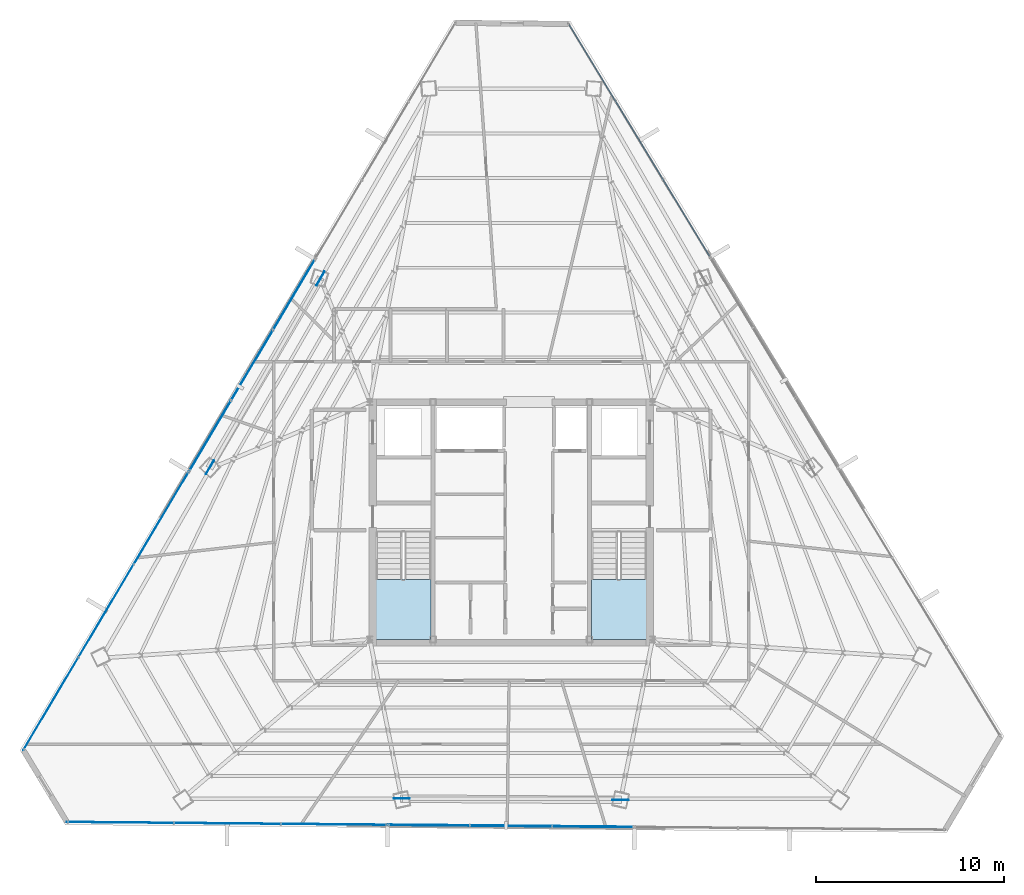
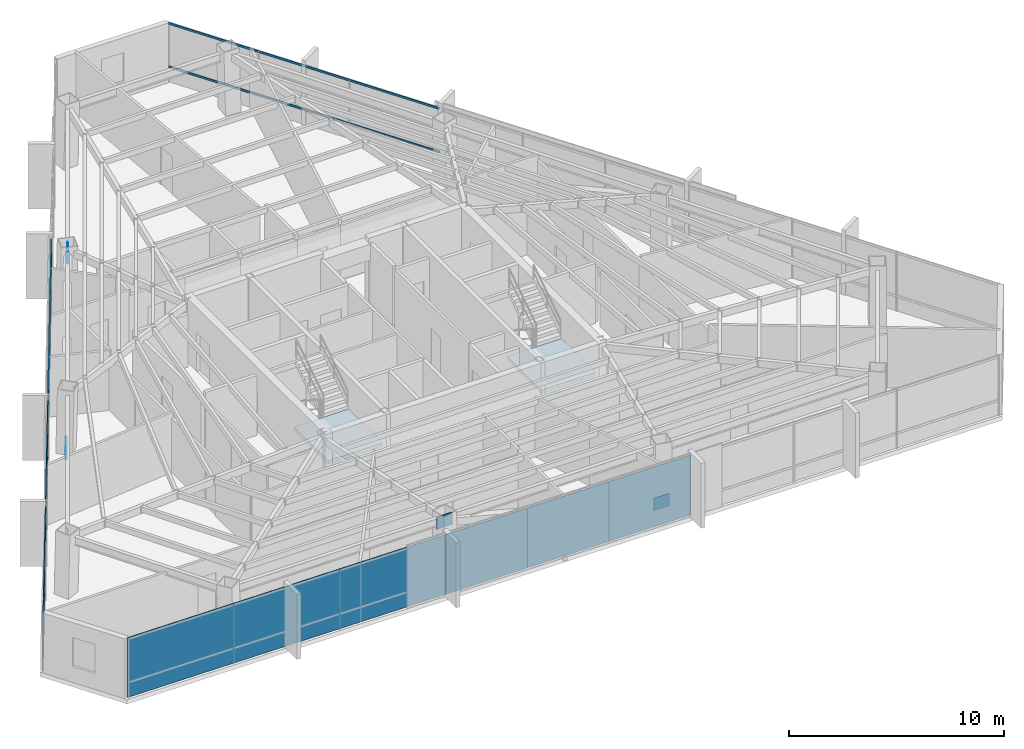
# One storey, part 37 of 49: 16 plates, 2 members, 2 slabs, 7 elements without a shape of their own.
"""IFC4 building model written with IfcOpenShell, lengths in metres."""

import ifcopenshell
import ifcopenshell.guid

model = None  # the IFC model being written
_history = None  # IfcOwnerHistory: only IFC2X3 demands one
_inside = {}  # id of a spatial element -> (the spatial element, [elements in it])
_under = {}  # id of a project, library or spatial element -> (it, [spatial elements below it])
_declared = {}  # id of a project -> (the project, [libraries it declares])
_typed = {}  # id of a type object -> (the type object, [elements of that type])
_made_of = {}  # id of a material, layer set ... -> (it, [elements and type objects made of it])


def new_model(schema):
    """Start an empty IFC model of exactly this schema.

    Asked for "IFC4X3", IfcOpenShell would pick the latest addendum, in which some entities
    have other attributes; the version numbers below select the first issue.
    IFC2X3 requires an IfcOwnerHistory on every rooted entity: one is made here for all.
    """
    global model, _history
    if schema == "IFC4X3":
        model = ifcopenshell.file(schema_version=(4, 3, 0, 0))
    else:
        model = ifcopenshell.file(schema=schema)
    _inside.clear()
    _under.clear()
    _declared.clear()
    _typed.clear()
    _made_of.clear()
    _history = None
    if model.schema == "IFC2X3":
        org = make("IfcOrganization", Name="unknown")
        user = make(
            "IfcPersonAndOrganization",
            ThePerson=make("IfcPerson", FamilyName="unknown"),
            TheOrganization=org,
        )
        app = make(
            "IfcApplication",
            ApplicationDeveloper=org,
            Version="unknown",
            ApplicationFullName="unknown",
            ApplicationIdentifier="unknown",
        )
        _history = make(
            "IfcOwnerHistory",
            OwningUser=user,
            OwningApplication=app,
            ChangeAction="ADDED",
            CreationDate=0,
        )
    return model


def make(cls, **values):
    """One entity of the class cls with the attributes given. An attribute that is None is left unset."""
    return model.create_entity(
        cls, **{name: value for name, value in values.items() if value is not None}
    )


def rooted(cls, **values):
    """An entity with a GlobalId (a new one), such as an element, a storey or a relation."""
    return make(cls, GlobalId=ifcopenshell.guid.new(), OwnerHistory=_history, **values)


def si_unit(unit_type, name, prefix=None):
    """IfcSIUnit, for example si_unit("LENGTHUNIT", "METRE", prefix="MILLI")."""
    return make("IfcSIUnit", UnitType=unit_type, Prefix=prefix, Name=name)


def assignment(units):
    """IfcUnitAssignment: the units of a project."""
    return None if units is None else make("IfcUnitAssignment", Units=units)


def point(xyz):
    """IfcCartesianPoint."""
    return None if xyz is None else make("IfcCartesianPoint", Coordinates=xyz)


def direction(xyz):
    """IfcDirection."""
    return None if xyz is None else make("IfcDirection", DirectionRatios=xyz)


def frame(location, z_axis=None, x_axis=None):
    """IfcAxis2Placement3D, a coordinate frame: its origin and axes. An axis left out is left unset."""
    return make(
        "IfcAxis2Placement3D",
        Location=point(location),
        Axis=direction(z_axis),
        RefDirection=direction(x_axis),
    )


def frame_2d(location, x_axis=None):
    """IfcAxis2Placement2D, a coordinate frame in the plane: its origin and x axis."""
    return make(
        "IfcAxis2Placement2D", Location=point(location), RefDirection=direction(x_axis)
    )


def origin():
    """The frame at (0, 0, 0) with its axes left unset."""
    return frame((0.0, 0.0, 0.0))


def origin_2d():
    """The frame at (0, 0) in the plane with its x axis left unset."""
    return frame_2d((0.0, 0.0))


def place(relative_to, where):
    """IfcLocalPlacement: puts the frame where relative to a parent placement (None: the world)."""
    return make(
        "IfcLocalPlacement", PlacementRelTo=relative_to, RelativePlacement=where
    )


def context(
    kind, dimensions, precision=None, world=None, true_north=None, identifier=None
):
    """IfcGeometricRepresentationContext, for example the 3D "Model" context."""
    return make(
        "IfcGeometricRepresentationContext",
        ContextIdentifier=identifier,
        ContextType=kind,
        CoordinateSpaceDimension=dimensions,
        Precision=precision,
        WorldCoordinateSystem=world,
        TrueNorth=true_north,
    )


def subcontext(parent, identifier, kind, view, scale=None):
    """IfcGeometricRepresentationSubContext, for example "Body" below "Model"."""
    return make(
        "IfcGeometricRepresentationSubContext",
        ContextIdentifier=identifier,
        ContextType=kind,
        ParentContext=parent,
        TargetScale=scale,
        TargetView=view,
    )


def project(units=None, contexts=None):
    """IfcProject with its units and contexts."""
    return rooted(
        "IfcProject",
        Name="project",
        RepresentationContexts=contexts,
        UnitsInContext=assignment(units),
    )


def spatial(cls, under=None, at=None, **own):
    """A site, building, storey or space (cls), placed at a placement, below another one or the project."""
    s = rooted(cls, ObjectPlacement=at, **own)
    if under is not None:
        _under.setdefault(under.id(), (under, []))[1].append(s)
    return s


def polyline(points):
    """IfcPolyline through the points."""
    return make("IfcPolyline", Points=[point(p) for p in points])


def profile(cls, at=None, kind="AREA", **sizes):
    """A parametric profile (cls). Its sizes go by their IFC names, for example OverallWidth=200.0."""
    return make(cls, ProfileType=kind, Position=at, **sizes)


def rectangle(**sizes):
    """IfcRectangleProfileDef."""
    return profile("IfcRectangleProfileDef", **sizes)


def hollow_rectangle(**sizes):
    """IfcRectangleHollowProfileDef."""
    return profile("IfcRectangleHollowProfileDef", **sizes)


def outline(outer, holes=None, kind="AREA"):
    """IfcArbitraryClosedProfileDef: a profile drawn as a closed curve; with holes, ...WithVoids."""
    if holes is None:
        return make("IfcArbitraryClosedProfileDef", ProfileType=kind, OuterCurve=outer)
    return make(
        "IfcArbitraryProfileDefWithVoids",
        ProfileType=kind,
        OuterCurve=outer,
        InnerCurves=holes,
    )


def extrude(swept, where, along, depth):
    """IfcExtrudedAreaSolid: the profile swept, set in the frame where, extruded along a direction by depth."""
    return make(
        "IfcExtrudedAreaSolid",
        SweptArea=swept,
        Position=where,
        ExtrudedDirection=direction(along),
        Depth=depth,
    )


def shape(context_of_items, identifier, shape_type, items):
    """IfcShapeRepresentation: the items that make up one representation, for example the "Body"."""
    return make(
        "IfcShapeRepresentation",
        ContextOfItems=context_of_items,
        RepresentationIdentifier=identifier,
        RepresentationType=shape_type,
        Items=items,
    )


def source(mapping_origin, context_of_items, identifier, shape_type, items):
    """IfcRepresentationMap: a shape defined once, which mapped items show again and again."""
    return make(
        "IfcRepresentationMap",
        MappingOrigin=mapping_origin,
        MappedRepresentation=shape(context_of_items, identifier, shape_type, items),
    )


def transform(
    local_origin,
    x_axis=None,
    y_axis=None,
    z_axis=None,
    scale=None,
    scale2=None,
    scale3=None,
    uniform=True,
):
    """IfcCartesianTransformationOperator3D, or its non-uniform kind. x_axis, y_axis, z_axis: its Axis1, 2, 3."""
    if uniform:
        return make(
            "IfcCartesianTransformationOperator3D",
            Axis1=direction(x_axis),
            Axis2=direction(y_axis),
            LocalOrigin=point(local_origin),
            Scale=scale,
            Axis3=direction(z_axis),
        )
    return make(
        "IfcCartesianTransformationOperator3DnonUniform",
        Axis1=direction(x_axis),
        Axis2=direction(y_axis),
        LocalOrigin=point(local_origin),
        Scale=scale,
        Axis3=direction(z_axis),
        Scale2=scale2,
        Scale3=scale3,
    )


def mapped(mapping_source, mapping_target):
    """IfcMappedItem: shows the shape of a source again, moved by a transform."""
    return make(
        "IfcMappedItem", MappingSource=mapping_source, MappingTarget=mapping_target
    )


def material(Name=None, Category=None):
    """IfcMaterial."""
    return make("IfcMaterial", Name=Name, Category=Category)


def layer(
    of_material, thickness, ventilated=None, Name=None, Category=None, Priority=None
):
    """IfcMaterialLayer: one layer of a wall or slab, of a material (None: an air gap)."""
    return make(
        "IfcMaterialLayer",
        Material=of_material,
        LayerThickness=thickness,
        IsVentilated=ventilated,
        Name=Name,
        Category=Category,
        Priority=Priority,
    )


def layer_set(layers, Name=None):
    """IfcMaterialLayerSet."""
    return make("IfcMaterialLayerSet", MaterialLayers=layers, LayerSetName=Name)


def material_profile(
    of_material, cross_section, Name=None, Category=None, Priority=None
):
    """IfcMaterialProfile: a cross section and its material."""
    return make(
        "IfcMaterialProfile",
        Name=Name,
        Material=of_material,
        Profile=cross_section,
        Priority=Priority,
        Category=Category,
    )


def profile_set(profiles, Name=None, composite=None):
    """IfcMaterialProfileSet."""
    return make(
        "IfcMaterialProfileSet",
        Name=Name,
        MaterialProfiles=profiles,
        CompositeProfile=composite,
    )


def made_of(thing, what):
    """Note that an element or type object is made of a material, layer set ...; save() writes the relation."""
    if what is not None:
        _made_of.setdefault(what.id(), (what, []))[1].append(thing)
    return thing


def type_object(cls, material=None, **own):
    """A type object (cls), such as IfcWallType, which elements share."""
    return made_of(rooted(cls, **own), material)


def type_shapes(of_type, sources):
    """Give a type object the sources (RepresentationMaps) that its elements show as mapped items."""
    of_type.RepresentationMaps = sources


def element(
    cls,
    number,
    at=None,
    inside=None,
    cuts=None,
    type_object=None,
    material=None,
    context=None,
    identifier="Body",
    shape_type=None,
    held_by="IfcProductDefinitionShape",
    body=None,
    shapes=None,
    **own,
):
    """One element of the class cls, such as IfcWall. Its Tag is "e" and its number.

    at: its placement. inside: the storey or other place that contains it. cuts: it is an
    opening in that element (IfcRelVoidsElement). A single representation is given by context,
    identifier, shape_type and body (its items); several are given by shapes. held_by: the class
    of the entity that holds the representations. save() writes the other relations.
    """
    e = rooted(cls, Tag="e%d" % number, ObjectPlacement=at, **own)
    if body is not None:
        shapes = [shape(context, identifier, shape_type, body)]
    if shapes is not None:
        e.Representation = make(held_by, Representations=shapes)
    if inside is not None:
        _inside.setdefault(inside.id(), (inside, []))[1].append(e)
    if cuts is not None:
        rooted(
            "IfcRelVoidsElement", RelatingBuildingElement=cuts, RelatedOpeningElement=e
        )
    if type_object is not None:
        _typed.setdefault(type_object.id(), (type_object, []))[1].append(e)
    return made_of(e, material)


def aggregate(whole, parts):
    """IfcRelAggregates: a whole, such as a stair, and the parts it consists of."""
    return rooted("IfcRelAggregates", RelatingObject=whole, RelatedObjects=parts)


def save(model, path):
    """Write the relations noted so far, then the file.

    IfcRelAggregates (storeys below a building ...), IfcRelContainedInSpatialStructure (elements
    in a storey), IfcRelDefinesByType, IfcRelAssociatesMaterial and IfcRelDeclares: one each for
    every whole, place, type object, material and project.
    """
    for whole, parts in _under.values():
        aggregate(whole, parts)
    for where, things in _inside.values():
        rooted(
            "IfcRelContainedInSpatialStructure",
            RelatedElements=things,
            RelatingStructure=where,
        )
    for kind, things in _typed.values():
        rooted("IfcRelDefinesByType", RelatedObjects=things, RelatingType=kind)
    for what, things in _made_of.values():
        rooted("IfcRelAssociatesMaterial", RelatedObjects=things, RelatingMaterial=what)
    for by, libraries in _declared.values():
        rooted("IfcRelDeclares", RelatingContext=by, RelatedDefinitions=libraries)
    model.write(path)


model = new_model("IFC4")

# Units and contexts
model_context = context("Model", 3, precision=1e-05, world=origin(), true_north=direction((0.0, 1.0)))
body_context = subcontext(model_context, "Body", "Model", "MODEL_VIEW")
ifc_project = project(units=[si_unit("LENGTHUNIT", "METRE"), si_unit("AREAUNIT", "SQUARE_METRE"), si_unit("VOLUMEUNIT", "CUBIC_METRE"), si_unit("PLANEANGLEUNIT", "RADIAN"), si_unit("MASSUNIT", "GRAM", prefix="KILO")], contexts=[model_context])

# Site, building, storey
site_placement = place(None, origin())
site = spatial("IfcSite", under=ifc_project, at=site_placement, CompositionType="ELEMENT")
building_placement = place(site_placement, origin())
building = spatial("IfcBuilding", under=site, at=building_placement, Name="Caelisora Broadcast Tower", CompositionType="ELEMENT")
storey_placement = place(building_placement, frame((0.0, 0.0, 233.5)))
storey = spatial("IfcBuildingStorey", under=building, at=storey_placement, Name="L61", CompositionType="ELEMENT", Elevation=233.5)

# Curtain wall, members
ifc_material_1 = material(Name="Unitised Aluminium and Low-E Glass Curtain Wall", Category="glass")
curtain_wall_type_1 = type_object("IfcCurtainWallType", Name="CW-Z5", PredefinedType="NOTDEFINED", material=ifc_material_1)
curtain_wall_1_placement = place(storey_placement, origin())
curtain_wall_1 = element("IfcCurtainWall", 1, at=curtain_wall_1_placement, inside=storey, type_object=curtain_wall_type_1, Name="L61 curtain wall CW-Z5", PredefinedType="NOTDEFINED")
ifc_material_2 = material(Name="Aluminium 6063-T6 Anodised Terracotta Bronze", Category="aluminium")
ifc_material_profile = material_profile(ifc_material_2, hollow_rectangle(XDim=0.06005859375, YDim=0.1201171875, WallThickness=0.0029296875, at=origin_2d()), Name="Aluminium 6063-T6 Anodised Terracotta Bronze")
ifc_profile_set = profile_set([ifc_material_profile], Name="Aluminium 6063-T6 Anodised Terracotta Bronze")
member_type = type_object("IfcMemberType", Name="CWT-03", PredefinedType="USERDEFINED", material=ifc_profile_set)
shared_shape_1 = source(origin(), body_context, "Body", "SweptSolid", [
    extrude(hollow_rectangle(XDim=0.06005859375, YDim=0.1201171875, WallThickness=0.0029296875, at=origin_2d()), origin(), (0.0, 0.0, 1.0), 14.386474609375),
])
type_shapes(member_type, [shared_shape_1])
member_1_placement = place(storey_placement, frame((41.074951171875, 50.0341796875, 0.85009765625), z_axis=(0.518505548152, -0.855074263754, 0.0), x_axis=(0.855074263754, 0.518505548152, 0.0)))
member_1 = element("IfcMember", 2, at=member_1_placement, type_object=member_type, Name="L61-CW-B01 transom #1", ObjectType="TRANSOM", PredefinedType="USERDEFINED", context=body_context, shape_type="MappedRepresentation", body=[
    mapped(shared_shape_1, transform((0.0, 0.0, 0.0), scale=1.0)),
])
member_2_placement = place(storey_placement, frame((41.074951171875, 50.0341796875, 3.320068359375), z_axis=(0.518505548152, -0.855074263754, 0.0), x_axis=(0.855074263754, 0.518505548152, 0.0)))
member_2 = element("IfcMember", 3, at=member_2_placement, type_object=member_type, Name="L61-CW-B01 transom #2", ObjectType="TRANSOM", PredefinedType="USERDEFINED", context=body_context, shape_type="MappedRepresentation", body=[
    mapped(shared_shape_1, transform((0.0, 0.0, 0.0), scale=1.0)),
])
aggregate(curtain_wall_1, [member_1, member_2])

# Stair, slab
ifc_material_3 = material(Name="Concrete 40 MPa (AS 3600 N40)", Category="concrete")
stair_type_1 = type_object("IfcStairType", Name="ST-1", PredefinedType="HALF_TURN_STAIR", material=ifc_material_3)
stair_1_placement = place(storey_placement, origin())
stair_1 = element("IfcStair", 4, at=stair_1_placement, inside=storey, type_object=stair_type_1, Name="L61 West Fire-Isolated Tower Stair", PredefinedType="HALF_TURN_STAIR")
ifc_layer_1 = layer(ifc_material_3, 0.199951171875, Name="Concrete 40 MPa (AS 3600 N40)")
ifc_layer_set_1 = layer_set([ifc_layer_1], Name="Concrete 40 MPa (AS 3600 N40)")
slab_type = type_object("IfcSlabType", Name="STL-1", PredefinedType="LANDING", material=ifc_layer_set_1)
slab_1_placement = place(storey_placement, frame((0.0, 0.0, 1.625)))
slab_1 = element("IfcSlab", 5, at=slab_1_placement, type_object=slab_type, Name="ST-1 landing 1", PredefinedType="LANDING", context=body_context, shape_type="SweptSolid", body=[
    extrude(outline(polyline([(30.820068359375, 20.580078125), (30.820068359375, 17.39990234375), (33.739990234375, 17.39990234375), (33.739990234375, 20.580078125), (30.820068359375, 20.580078125)])), origin(), (0.0, 0.0, 1.0), 0.199951171875),
])
aggregate(stair_1, [slab_1])

stair_type_2 = type_object("IfcStairType", Name="ST-2", PredefinedType="HALF_TURN_STAIR", material=ifc_material_3)
stair_2_placement = place(storey_placement, origin())
stair_2 = element("IfcStair", 6, at=stair_2_placement, inside=storey, type_object=stair_type_2, Name="L61 East Fire-Isolated Tower Stair", PredefinedType="HALF_TURN_STAIR")
slab_2_placement = place(storey_placement, frame((0.0, 0.0, 1.625)))
slab_2 = element("IfcSlab", 7, at=slab_2_placement, type_object=slab_type, Name="ST-2 landing 1", PredefinedType="LANDING", context=body_context, shape_type="SweptSolid", body=[
    extrude(outline(polyline([(42.260009765625, 20.580078125), (42.260009765625, 17.39990234375), (45.179931640625, 17.39990234375), (45.179931640625, 20.580078125), (42.260009765625, 20.580078125)])), origin(), (0.0, 0.0, 1.0), 0.199951171875),
])
aggregate(stair_2, [slab_2])

# Plates
ifc_material_4 = material(Name="Steel Grade 350 L15 (AS/NZS 3678)", Category="steel")
ifc_layer_2 = layer(ifc_material_4, 0.0400390625, Name="Steel Grade 350 L15 (AS/NZS 3678)")
ifc_layer_set_2 = layer_set([ifc_layer_2], Name="Steel Grade 350 L15 (AS/NZS 3678)")
plate_type_1 = type_object("IfcPlateType", Name="GP04", PredefinedType="USERDEFINED", material=ifc_layer_set_2)
shared_shape_2 = source(origin(), body_context, "Body", "SweptSolid", [
    extrude(rectangle(XDim=0.85009765625, YDim=0.0400390625, at=origin_2d()), origin(), (0.0, 0.0, 1.0), 0.699951171875),
])
type_shapes(plate_type_1, [shared_shape_2])
for number, where, z_axis, x_axis, name in (
    (8, (27.8759765625, 36.5634765625, 2.72998046875), (0.0, 0.0, 1.0), (-0.5, -0.866025403784, 0.0), "L61 gusset plate GP04 (ND-L61-C02T)"),
    (9, (22.00341796875, 26.536376953125, -0.22998046875), (0.0, 0.0, 1.0), (-0.5, -0.866025403784, 0.0), "L61 gusset plate GP04 (ND-L61-C03B)"),
    (10, (32.181884765625, 8.95068359375, 2.72998046875), (0.0, 0.0, 1.0), (1.0, 0.0, 0.0), "L61 gusset plate GP04 (ND-L61-C06T)"),
    (11, (43.8017578125, 8.87841796875, -0.22998046875), (0.0, 0.0, 1.0), (1.0, 0.0, 0.0), "L61 gusset plate GP04 (ND-L61-C07B)"),
):
    element("IfcPlate", number, at=place(storey_placement, frame(where, z_axis=z_axis, x_axis=x_axis)), inside=storey, type_object=plate_type_1, Name=name, ObjectType="GUSSET PLATE", PredefinedType="USERDEFINED", context=body_context, shape_type="MappedRepresentation", body=[
        mapped(shared_shape_2, transform((0.0, 0.0, 0.0), scale=1.0)),
    ])

# Curtain wall, plates
ifc_material_5 = material(Name="Unitised Aluminium Insulated Shadow-Box Spandrel Curtain Wall", Category="aluminium")
curtain_wall_type_2 = type_object("IfcCurtainWallType", Name="CW-SP3", PredefinedType="NOTDEFINED", material=ifc_material_5)
curtain_wall_2_placement = place(storey_placement, origin())
curtain_wall_2 = element("IfcCurtainWall", 12, at=curtain_wall_2_placement, inside=storey, type_object=curtain_wall_type_2, Name="L61 curtain wall CW-SP3", PredefinedType="NOTDEFINED")
ifc_material_6 = material(Name="Insulated Terracotta Shadow-Box Spandrel Panel", Category="aluminium")
ifc_layer_3 = layer(ifc_material_6, 0.0439453125, Name="Insulated Terracotta Shadow-Box Spandrel Panel")
ifc_layer_set_3 = layer_set([ifc_layer_3], Name="Insulated Terracotta Shadow-Box Spandrel Panel")
plate_type_2 = type_object("IfcPlateType", Name="CWP-10", PredefinedType="CURTAIN_PANEL", material=ifc_layer_set_3)
shared_shape_3 = source(origin(), body_context, "Body", "SweptSolid", [
    extrude(rectangle(XDim=4.364501953125, YDim=0.0439453125, at=origin_2d()), origin(), (0.0, 0.0, 1.0), 3.39990234375),
])
plate_1_placement = place(storey_placement, frame((42.351806640625, 7.459228515625, 0.0), z_axis=(0.0, 0.0, 1.0), x_axis=(-0.999960384766, 0.008901061644, 0.0)))
plate_1 = element("IfcPlate", 13, at=plate_1_placement, type_object=plate_type_2, Name="L61-CW-B06 spandrel panel #1", PredefinedType="CURTAIN_PANEL", context=body_context, shape_type="MappedRepresentation", body=[
    mapped(shared_shape_3, transform((0.0, 0.0, 0.0), scale=1.0)),
])
plate_2_placement = place(storey_placement, frame((37.98779296875, 7.498291015625, 0.0), z_axis=(0.0, 0.0, 1.0), x_axis=(-0.999960384766, 0.008901061644, 0.0)))
plate_2 = element("IfcPlate", 14, at=plate_2_placement, type_object=plate_type_2, Name="L61-CW-B06 spandrel panel #2", PredefinedType="CURTAIN_PANEL", context=body_context, shape_type="MappedRepresentation", body=[
    mapped(shared_shape_3, transform((0.0, 0.0, 0.0), scale=1.0)),
])
plate_3_placement = place(storey_placement, frame((33.62353515625, 7.537109375, 0.0), z_axis=(0.0, 0.0, 1.0), x_axis=(-0.999960384766, 0.008901061644, 0.0)))
plate_3 = element("IfcPlate", 15, at=plate_3_placement, type_object=plate_type_2, Name="L61-CW-B06 spandrel panel #3", PredefinedType="CURTAIN_PANEL", context=body_context, shape_type="MappedRepresentation", body=[
    mapped(shared_shape_3, transform((0.0, 0.0, 0.0), scale=1.0)),
])
aggregate(curtain_wall_2, [plate_1, plate_2, plate_3])

curtain_wall_3_placement = place(storey_placement, origin())
curtain_wall_3 = element("IfcCurtainWall", 16, at=curtain_wall_3_placement, inside=storey, type_object=curtain_wall_type_1, Name="L61 curtain wall CW-Z5", PredefinedType="NOTDEFINED")
ifc_material_7 = material(Name="Double Glazed Low-E Argon IGU", Category="glass")
ifc_layer_4 = layer(ifc_material_7, 0.028076171875, Name="Double Glazed Low-E Argon IGU")
ifc_layer_set_4 = layer_set([ifc_layer_4], Name="Double Glazed Low-E Argon IGU")
plate_type_3 = type_object("IfcPlateType", Name="CWP-06", PredefinedType="CURTAIN_PANEL", material=ifc_layer_set_4)
shared_shape_4 = source(origin(), body_context, "Body", "SweptSolid", [
    extrude(rectangle(XDim=5.673095703125, YDim=0.028076171875, at=origin_2d()), origin(), (0.0, 0.0, 1.0), 3.39990234375),
])
plate_4_placement = place(storey_placement, frame((28.594970703125, 7.581787109375, 0.0), z_axis=(0.0, 0.0, 1.0), x_axis=(-0.999960384766, 0.008901061644, 0.0)))
plate_4 = element("IfcPlate", 17, at=plate_4_placement, type_object=plate_type_3, Name="L61-CW-B07 glazed panel #1", PredefinedType="CURTAIN_PANEL", context=body_context, shape_type="MappedRepresentation", body=[
    mapped(shared_shape_4, transform((0.0, 0.0, 0.0), scale=1.0)),
])
plate_5_placement = place(storey_placement, frame((22.922119140625, 7.63232421875, 0.0), z_axis=(0.0, 0.0, 1.0), x_axis=(-0.999960384766, 0.008901061644, 0.0)))
plate_5 = element("IfcPlate", 18, at=plate_5_placement, type_object=plate_type_3, Name="L61-CW-B07 glazed panel #2", PredefinedType="CURTAIN_PANEL", context=body_context, shape_type="MappedRepresentation", body=[
    mapped(shared_shape_4, transform((0.0, 0.0, 0.0), scale=1.0)),
])
plate_6_placement = place(storey_placement, frame((17.24951171875, 7.682861328125, 0.0), z_axis=(0.0, 0.0, 1.0), x_axis=(-0.999960384766, 0.008901061644, 0.0)))
plate_6 = element("IfcPlate", 19, at=plate_6_placement, type_object=plate_type_3, Name="L61-CW-B07 glazed panel #3", PredefinedType="CURTAIN_PANEL", context=body_context, shape_type="MappedRepresentation", body=[
    mapped(shared_shape_4, transform((0.0, 0.0, 0.0), scale=1.0)),
])
aggregate(curtain_wall_3, [plate_4, plate_5, plate_6])

curtain_wall_4_placement = place(storey_placement, origin())
curtain_wall_4 = element("IfcCurtainWall", 20, at=curtain_wall_4_placement, inside=storey, type_object=curtain_wall_type_1, Name="L61 curtain wall CW-Z5", PredefinedType="NOTDEFINED")
shared_shape_5 = source(origin(), body_context, "Body", "SweptSolid", [
    extrude(rectangle(XDim=5.737060546875, YDim=0.028076171875, at=origin_2d()), origin(), (0.0, 0.0, 1.0), 3.39990234375),
])
type_shapes(plate_type_3, [shared_shape_4, shared_shape_5])
plate_7_placement = place(storey_placement, frame((13.56640625, 13.98779296875, 0.0), z_axis=(0.0, 0.0, 1.0), x_axis=(0.510843031866, 0.859674006117, 0.0)))
plate_7 = element("IfcPlate", 21, at=plate_7_placement, type_object=plate_type_3, Name="L61-CW-B09 glazed panel #1", PredefinedType="CURTAIN_PANEL", context=body_context, shape_type="MappedRepresentation", body=[
    mapped(shared_shape_5, transform((0.0, 0.0, 0.0), scale=1.0)),
])
plate_8_placement = place(storey_placement, frame((16.49755859375, 18.919677734375, 0.0), z_axis=(0.0, 0.0, 1.0), x_axis=(0.510843031866, 0.859674006117, 0.0)))
plate_8 = element("IfcPlate", 22, at=plate_8_placement, type_object=plate_type_3, Name="L61-CW-B09 glazed panel #2", PredefinedType="CURTAIN_PANEL", context=body_context, shape_type="MappedRepresentation", body=[
    mapped(shared_shape_5, transform((0.0, 0.0, 0.0), scale=1.0)),
])
plate_9_placement = place(storey_placement, frame((19.428466796875, 23.8515625, 0.0), z_axis=(0.0, 0.0, 1.0), x_axis=(0.510843031866, 0.859674006117, 0.0)))
plate_9 = element("IfcPlate", 23, at=plate_9_placement, type_object=plate_type_3, Name="L61-CW-B09 glazed panel #3", PredefinedType="CURTAIN_PANEL", context=body_context, shape_type="MappedRepresentation", body=[
    mapped(shared_shape_5, transform((0.0, 0.0, 0.0), scale=1.0)),
])
aggregate(curtain_wall_4, [plate_7, plate_8, plate_9])

curtain_wall_5_placement = place(storey_placement, origin())
curtain_wall_5 = element("IfcCurtainWall", 24, at=curtain_wall_5_placement, inside=storey, type_object=curtain_wall_type_2, Name="L61 curtain wall CW-SP3", PredefinedType="NOTDEFINED")
shared_shape_6 = source(origin(), body_context, "Body", "SweptSolid", [
    extrude(rectangle(XDim=4.3642578125, YDim=0.0439453125, at=origin_2d()), origin(), (0.0, 0.0, 1.0), 3.39990234375),
])
type_shapes(plate_type_2, [shared_shape_3, shared_shape_6])
plate_10_placement = place(storey_placement, frame((22.013916015625, 28.201904296875, 0.0), z_axis=(0.0, 0.0, 1.0), x_axis=(0.510843031866, 0.859674006117, 0.0)))
plate_10 = element("IfcPlate", 25, at=plate_10_placement, type_object=plate_type_2, Name="L61-CW-B10 spandrel panel #1", PredefinedType="CURTAIN_PANEL", context=body_context, shape_type="MappedRepresentation", body=[
    mapped(shared_shape_6, transform((0.0, 0.0, 0.0), scale=1.0)),
])
plate_11_placement = place(storey_placement, frame((24.24365234375, 31.95361328125, 0.0), z_axis=(0.0, 0.0, 1.0), x_axis=(0.510843031866, 0.859674006117, 0.0)))
plate_11 = element("IfcPlate", 26, at=plate_11_placement, type_object=plate_type_2, Name="L61-CW-B10 spandrel panel #2", PredefinedType="CURTAIN_PANEL", context=body_context, shape_type="MappedRepresentation", body=[
    mapped(shared_shape_6, transform((0.0, 0.0, 0.0), scale=1.0)),
])
plate_12_placement = place(storey_placement, frame((26.47314453125, 35.705078125, 0.0), z_axis=(0.0, 0.0, 1.0), x_axis=(0.510843031866, 0.859674006117, 0.0)))
plate_12 = element("IfcPlate", 27, at=plate_12_placement, type_object=plate_type_2, Name="L61-CW-B10 spandrel panel #3", PredefinedType="CURTAIN_PANEL", context=body_context, shape_type="MappedRepresentation", body=[
    mapped(shared_shape_6, transform((0.0, 0.0, 0.0), scale=1.0)),
])
aggregate(curtain_wall_5, [plate_10, plate_11, plate_12])

save(model, "model.ifc")
